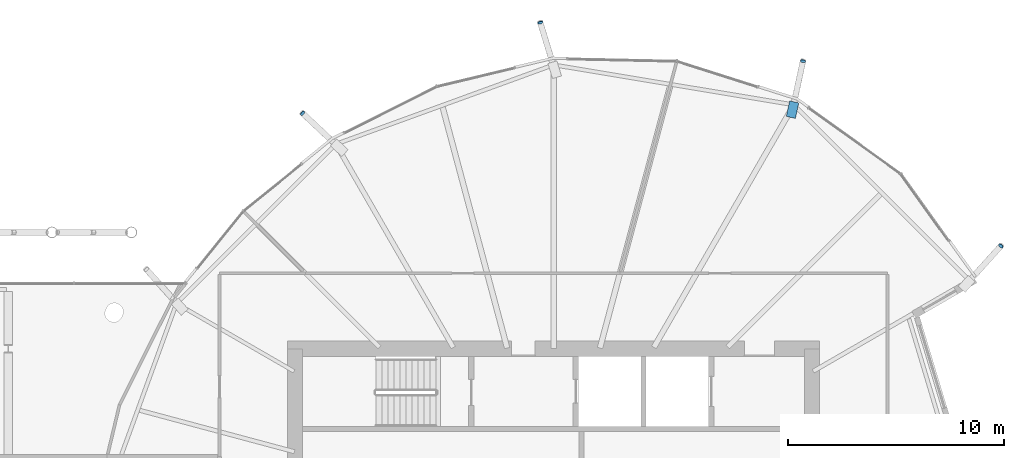
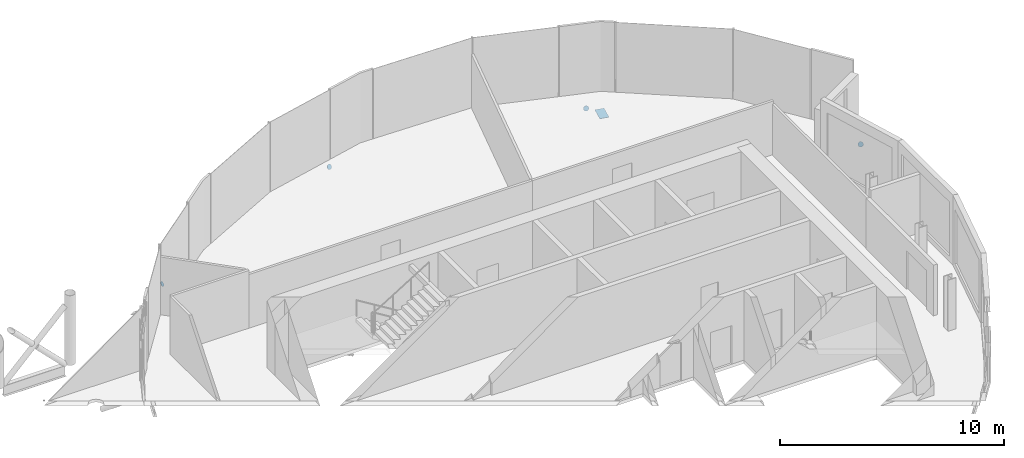
# One storey, part 36 of 40: 5 discrete accessories.
"""IFC4 building model written with IfcOpenShell, lengths in metres."""

from ifc_helpers import new_model, si_unit, direction, frame, origin, origin_2d, place, context, subcontext, project, spatial, polyline, rectangle, circle, outline, extrude, material, material_profile, profile_set, type_object, element, save


model = new_model("IFC4")

# Units and contexts
model_context = context("Model", 3, precision=1e-05, world=origin(), true_north=direction((0.0, 1.0)))
body_context = subcontext(model_context, "Body", "Model", "MODEL_VIEW")
ifc_project = project(units=[si_unit("LENGTHUNIT", "METRE"), si_unit("AREAUNIT", "SQUARE_METRE"), si_unit("VOLUMEUNIT", "CUBIC_METRE"), si_unit("PLANEANGLEUNIT", "RADIAN"), si_unit("MASSUNIT", "GRAM", prefix="KILO")], contexts=[model_context])

# Site, building, storey
site_placement = place(None, origin())
site = spatial("IfcSite", under=ifc_project, at=site_placement, CompositionType="ELEMENT")
building_placement = place(site_placement, origin())
building = spatial("IfcBuilding", under=site, at=building_placement, Name="Rimbun Link Towers", CompositionType="ELEMENT")
storey_placement = place(building_placement, frame((0.0, 0.0, 150.60009765625)))
storey = spatial("IfcBuildingStorey", under=building, at=storey_placement, Name="L36", CompositionType="ELEMENT", Elevation=150.60009765625)

# Discrete accessories
ifc_material_1 = material(Name="Steel S355J2H", Category="steel")
ifc_material_profile_1 = material_profile(ifc_material_1, circle(Radius=0.1240234375, at=origin_2d()), Name="PL D248")
ifc_profile_set_1 = profile_set([ifc_material_profile_1], Name="Steel S355J2H")
discrete_accessory_type_1 = type_object("IfcDiscreteAccessoryType", Name="Link foot sealing plate D248X20", PredefinedType="BRACKET", material=ifc_profile_set_1)
for number, where, z_axis, x_axis, name in (
    (1, (43.322509765625, 21.33837890625, -2.12451171875), (0.182075845126, 0.861825666932, -0.473397197329), (-0.978403328153, 0.206704928483, 0.0), "Link foot sealing plate T2 L36 01"),
    (2, (31.13671875, 23.126953125, -2.121337890625), (-0.256116606643, 0.841525993254, -0.475645126622), (-0.956673880429, -0.291161615783, 0.0), "Link foot sealing plate T2 L36 03"),
):
    element("IfcDiscreteAccessory", number, at=place(storey_placement, frame(where, z_axis=z_axis, x_axis=x_axis)), inside=storey, type_object=discrete_accessory_type_1, Name=name, PredefinedType="BRACKET", context=body_context, shape_type="SweptSolid", body=[
        extrude(circle(Radius=0.1240234375, at=origin_2d()), origin(), (0.0, 0.0, 1.0), 0.02001953125),
    ])
discrete_accessory_1_placement = place(storey_placement, frame((20.10986328125, 18.923583984375, -2.08154296875), z_axis=(-0.642247339146, 0.593775841852, -0.48471497294), x_axis=(-0.678855308406, -0.734272068275, 0.0)))
element("IfcDiscreteAccessory", 3, at=discrete_accessory_1_placement, inside=storey, type_object=discrete_accessory_type_1, Name="Link foot sealing plate T2 L36 05", PredefinedType="BRACKET", context=body_context, shape_type="SweptSolid", body=[
    extrude(circle(Radius=0.1240234375, at=origin_2d()), origin(), (0.0, 0.0, 1.0), 0.020263671875),
])
discrete_accessory_2_placement = place(storey_placement, frame((52.502685546875, 12.765869140625, -2.09130859375), z_axis=(0.566908437214, 0.640853015981, -0.51761205137), x_axis=(-0.74899656249, 0.662573882203, 0.0)))
element("IfcDiscreteAccessory", 4, at=discrete_accessory_2_placement, inside=storey, type_object=discrete_accessory_type_1, Name="Link foot sealing plate T2 L36 23", PredefinedType="BRACKET", context=body_context, shape_type="SweptSolid", body=[
    extrude(circle(Radius=0.1240234375, at=origin_2d()), origin(), (0.0, 0.0, 1.0), 0.019775390625),
])
ifc_material_2 = material(Name="Steel S355J2H", Category="steel")
ifc_material_profile_2 = material_profile(ifc_material_2, rectangle(XDim=0.43310546875, YDim=0.43310546875, at=origin_2d()), Name="PL 433x433")
ifc_profile_set_2 = profile_set([ifc_material_profile_2], Name="Steel S355J2H")
discrete_accessory_type_2 = type_object("IfcDiscreteAccessoryType", Name="Link head end plate 433X20", PredefinedType="BRACKET", material=ifc_profile_set_2)
discrete_accessory_3_placement = place(storey_placement, frame((0.0, 0.0, -0.883544921875)))
element("IfcDiscreteAccessory", 5, at=discrete_accessory_3_placement, inside=storey, type_object=discrete_accessory_type_2, Name="Link head end plate T2 L36 01", PredefinedType="BRACKET", context=body_context, shape_type="SweptSolid", body=[
    extrude(outline(polyline([(42.9736328125, 18.689697265625), (43.128173828125, 19.407470703125), (42.704833984375, 19.49853515625), (42.55029296875, 18.781005859375), (42.9736328125, 18.689697265625)])), origin(), (0.0, 0.0, 1.0), 0.02001953125),
])

save(model, "model.ifc")
